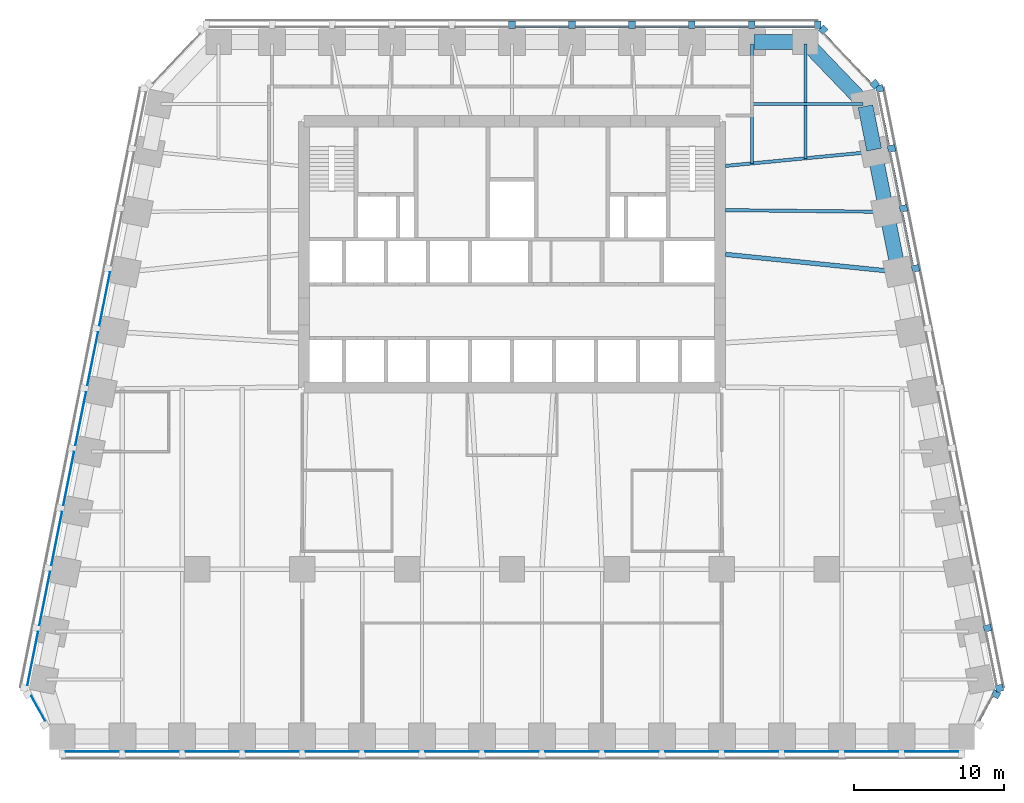
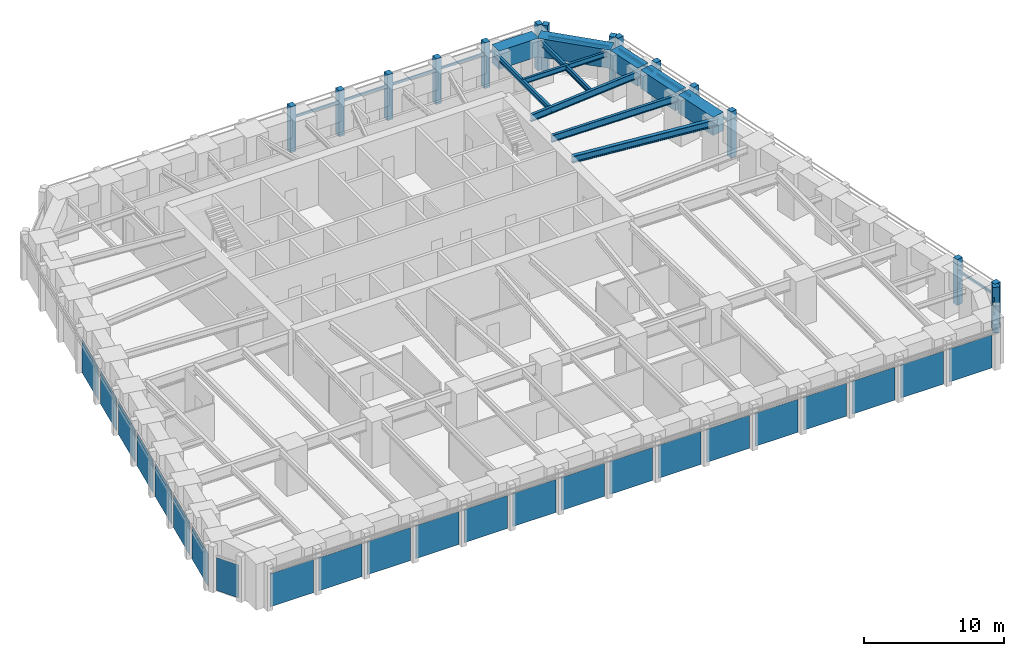
# One storey, part 4 of 9: 26 members, 23 plates, 11 beams, 7 elements without a shape of their own.
"""IFC4 building model written with IfcOpenShell, lengths in metres."""

import ifcopenshell
import ifcopenshell.guid

model = None  # the IFC model being written
_history = None  # IfcOwnerHistory: only IFC2X3 demands one
_inside = {}  # id of a spatial element -> (the spatial element, [elements in it])
_under = {}  # id of a project, library or spatial element -> (it, [spatial elements below it])
_declared = {}  # id of a project -> (the project, [libraries it declares])
_typed = {}  # id of a type object -> (the type object, [elements of that type])
_made_of = {}  # id of a material, layer set ... -> (it, [elements and type objects made of it])


def new_model(schema):
    """Start an empty IFC model of exactly this schema.

    Asked for "IFC4X3", IfcOpenShell would pick the latest addendum, in which some entities
    have other attributes; the version numbers below select the first issue.
    IFC2X3 requires an IfcOwnerHistory on every rooted entity: one is made here for all.
    """
    global model, _history
    if schema == "IFC4X3":
        model = ifcopenshell.file(schema_version=(4, 3, 0, 0))
    else:
        model = ifcopenshell.file(schema=schema)
    _inside.clear()
    _under.clear()
    _declared.clear()
    _typed.clear()
    _made_of.clear()
    _history = None
    if model.schema == "IFC2X3":
        org = make("IfcOrganization", Name="unknown")
        user = make(
            "IfcPersonAndOrganization",
            ThePerson=make("IfcPerson", FamilyName="unknown"),
            TheOrganization=org,
        )
        app = make(
            "IfcApplication",
            ApplicationDeveloper=org,
            Version="unknown",
            ApplicationFullName="unknown",
            ApplicationIdentifier="unknown",
        )
        _history = make(
            "IfcOwnerHistory",
            OwningUser=user,
            OwningApplication=app,
            ChangeAction="ADDED",
            CreationDate=0,
        )
    return model


def make(cls, **values):
    """One entity of the class cls with the attributes given. An attribute that is None is left unset."""
    return model.create_entity(
        cls, **{name: value for name, value in values.items() if value is not None}
    )


def rooted(cls, **values):
    """An entity with a GlobalId (a new one), such as an element, a storey or a relation."""
    return make(cls, GlobalId=ifcopenshell.guid.new(), OwnerHistory=_history, **values)


def si_unit(unit_type, name, prefix=None):
    """IfcSIUnit, for example si_unit("LENGTHUNIT", "METRE", prefix="MILLI")."""
    return make("IfcSIUnit", UnitType=unit_type, Prefix=prefix, Name=name)


def assignment(units):
    """IfcUnitAssignment: the units of a project."""
    return None if units is None else make("IfcUnitAssignment", Units=units)


def point(xyz):
    """IfcCartesianPoint."""
    return None if xyz is None else make("IfcCartesianPoint", Coordinates=xyz)


def direction(xyz):
    """IfcDirection."""
    return None if xyz is None else make("IfcDirection", DirectionRatios=xyz)


def frame(location, z_axis=None, x_axis=None):
    """IfcAxis2Placement3D, a coordinate frame: its origin and axes. An axis left out is left unset."""
    return make(
        "IfcAxis2Placement3D",
        Location=point(location),
        Axis=direction(z_axis),
        RefDirection=direction(x_axis),
    )


def frame_2d(location, x_axis=None):
    """IfcAxis2Placement2D, a coordinate frame in the plane: its origin and x axis."""
    return make(
        "IfcAxis2Placement2D", Location=point(location), RefDirection=direction(x_axis)
    )


def origin():
    """The frame at (0, 0, 0) with its axes left unset."""
    return frame((0.0, 0.0, 0.0))


def origin_2d():
    """The frame at (0, 0) in the plane with its x axis left unset."""
    return frame_2d((0.0, 0.0))


def place(relative_to, where):
    """IfcLocalPlacement: puts the frame where relative to a parent placement (None: the world)."""
    return make(
        "IfcLocalPlacement", PlacementRelTo=relative_to, RelativePlacement=where
    )


def context(
    kind, dimensions, precision=None, world=None, true_north=None, identifier=None
):
    """IfcGeometricRepresentationContext, for example the 3D "Model" context."""
    return make(
        "IfcGeometricRepresentationContext",
        ContextIdentifier=identifier,
        ContextType=kind,
        CoordinateSpaceDimension=dimensions,
        Precision=precision,
        WorldCoordinateSystem=world,
        TrueNorth=true_north,
    )


def subcontext(parent, identifier, kind, view, scale=None):
    """IfcGeometricRepresentationSubContext, for example "Body" below "Model"."""
    return make(
        "IfcGeometricRepresentationSubContext",
        ContextIdentifier=identifier,
        ContextType=kind,
        ParentContext=parent,
        TargetScale=scale,
        TargetView=view,
    )


def project(units=None, contexts=None):
    """IfcProject with its units and contexts."""
    return rooted(
        "IfcProject",
        Name="project",
        RepresentationContexts=contexts,
        UnitsInContext=assignment(units),
    )


def spatial(cls, under=None, at=None, **own):
    """A site, building, storey or space (cls), placed at a placement, below another one or the project."""
    s = rooted(cls, ObjectPlacement=at, **own)
    if under is not None:
        _under.setdefault(under.id(), (under, []))[1].append(s)
    return s


def profile(cls, at=None, kind="AREA", **sizes):
    """A parametric profile (cls). Its sizes go by their IFC names, for example OverallWidth=200.0."""
    return make(cls, ProfileType=kind, Position=at, **sizes)


def rectangle(**sizes):
    """IfcRectangleProfileDef."""
    return profile("IfcRectangleProfileDef", **sizes)


def i_section(**sizes):
    """IfcIShapeProfileDef."""
    return profile("IfcIShapeProfileDef", **sizes)


def extrude(swept, where, along, depth):
    """IfcExtrudedAreaSolid: the profile swept, set in the frame where, extruded along a direction by depth."""
    return make(
        "IfcExtrudedAreaSolid",
        SweptArea=swept,
        Position=where,
        ExtrudedDirection=direction(along),
        Depth=depth,
    )


def shape(context_of_items, identifier, shape_type, items):
    """IfcShapeRepresentation: the items that make up one representation, for example the "Body"."""
    return make(
        "IfcShapeRepresentation",
        ContextOfItems=context_of_items,
        RepresentationIdentifier=identifier,
        RepresentationType=shape_type,
        Items=items,
    )


def material(Name=None, Category=None):
    """IfcMaterial."""
    return make("IfcMaterial", Name=Name, Category=Category)


def layer(
    of_material, thickness, ventilated=None, Name=None, Category=None, Priority=None
):
    """IfcMaterialLayer: one layer of a wall or slab, of a material (None: an air gap)."""
    return make(
        "IfcMaterialLayer",
        Material=of_material,
        LayerThickness=thickness,
        IsVentilated=ventilated,
        Name=Name,
        Category=Category,
        Priority=Priority,
    )


def layer_set(layers, Name=None):
    """IfcMaterialLayerSet."""
    return make("IfcMaterialLayerSet", MaterialLayers=layers, LayerSetName=Name)


def material_profile(
    of_material, cross_section, Name=None, Category=None, Priority=None
):
    """IfcMaterialProfile: a cross section and its material."""
    return make(
        "IfcMaterialProfile",
        Name=Name,
        Material=of_material,
        Profile=cross_section,
        Priority=Priority,
        Category=Category,
    )


def profile_set(profiles, Name=None, composite=None):
    """IfcMaterialProfileSet."""
    return make(
        "IfcMaterialProfileSet",
        Name=Name,
        MaterialProfiles=profiles,
        CompositeProfile=composite,
    )


def made_of(thing, what):
    """Note that an element or type object is made of a material, layer set ...; save() writes the relation."""
    if what is not None:
        _made_of.setdefault(what.id(), (what, []))[1].append(thing)
    return thing


def type_object(cls, material=None, **own):
    """A type object (cls), such as IfcWallType, which elements share."""
    return made_of(rooted(cls, **own), material)


def element(
    cls,
    number,
    at=None,
    inside=None,
    cuts=None,
    type_object=None,
    material=None,
    context=None,
    identifier="Body",
    shape_type=None,
    held_by="IfcProductDefinitionShape",
    body=None,
    shapes=None,
    **own,
):
    """One element of the class cls, such as IfcWall. Its Tag is "e" and its number.

    at: its placement. inside: the storey or other place that contains it. cuts: it is an
    opening in that element (IfcRelVoidsElement). A single representation is given by context,
    identifier, shape_type and body (its items); several are given by shapes. held_by: the class
    of the entity that holds the representations. save() writes the other relations.
    """
    e = rooted(cls, Tag="e%d" % number, ObjectPlacement=at, **own)
    if body is not None:
        shapes = [shape(context, identifier, shape_type, body)]
    if shapes is not None:
        e.Representation = make(held_by, Representations=shapes)
    if inside is not None:
        _inside.setdefault(inside.id(), (inside, []))[1].append(e)
    if cuts is not None:
        rooted(
            "IfcRelVoidsElement", RelatingBuildingElement=cuts, RelatedOpeningElement=e
        )
    if type_object is not None:
        _typed.setdefault(type_object.id(), (type_object, []))[1].append(e)
    return made_of(e, material)


def aggregate(whole, parts):
    """IfcRelAggregates: a whole, such as a stair, and the parts it consists of."""
    return rooted("IfcRelAggregates", RelatingObject=whole, RelatedObjects=parts)


def save(model, path):
    """Write the relations noted so far, then the file.

    IfcRelAggregates (storeys below a building ...), IfcRelContainedInSpatialStructure (elements
    in a storey), IfcRelDefinesByType, IfcRelAssociatesMaterial and IfcRelDeclares: one each for
    every whole, place, type object, material and project.
    """
    for whole, parts in _under.values():
        aggregate(whole, parts)
    for where, things in _inside.values():
        rooted(
            "IfcRelContainedInSpatialStructure",
            RelatedElements=things,
            RelatingStructure=where,
        )
    for kind, things in _typed.values():
        rooted("IfcRelDefinesByType", RelatedObjects=things, RelatingType=kind)
    for what, things in _made_of.values():
        rooted("IfcRelAssociatesMaterial", RelatedObjects=things, RelatingMaterial=what)
    for by, libraries in _declared.values():
        rooted("IfcRelDeclares", RelatingContext=by, RelatedDefinitions=libraries)
    model.write(path)


model = new_model("IFC4")

# Units and contexts
model_context = context("Model", 3, precision=1e-05, world=origin(), true_north=direction((0.0, 1.0)))
body_context = subcontext(model_context, "Body", "Model", "MODEL_VIEW")
ifc_project = project(units=[si_unit("LENGTHUNIT", "METRE"), si_unit("AREAUNIT", "SQUARE_METRE"), si_unit("VOLUMEUNIT", "CUBIC_METRE"), si_unit("PLANEANGLEUNIT", "RADIAN"), si_unit("MASSUNIT", "GRAM", prefix="KILO")], contexts=[model_context])

# Site, building, storey
site_placement = place(None, origin())
site = spatial("IfcSite", under=ifc_project, at=site_placement, CompositionType="ELEMENT")
building_placement = place(site_placement, origin())
building = spatial("IfcBuilding", under=site, at=building_placement, Name="Isbrekke Arena Tower", CompositionType="ELEMENT")
storey_placement = place(building_placement, frame((0.0, 0.0, 131.0)))
storey = spatial("IfcBuildingStorey", under=building, at=storey_placement, Name="L29", CompositionType="ELEMENT", Elevation=131.0)

# Beams
ifc_material_1 = material(Name="Steel S355", Category="steel")
ifc_material_profile_1 = material_profile(ifc_material_1, i_section(OverallWidth=0.219970703125, OverallDepth=0.60009765625, WebThickness=0.011962890625, FlangeThickness=0.01904296875, FilletRadius=0.02392578125, at=origin_2d()), Name="IPE 600")
ifc_profile_set_1 = profile_set([ifc_material_profile_1], Name="Steel S355")
beam_type_1 = type_object("IfcBeamType", Name="B1 IPE 600", PredefinedType="BEAM", material=ifc_profile_set_1)
beam_1_placement = place(storey_placement, frame((24.83984375, 17.838134765625, 3.550048828125), z_axis=(-0.999944260169, 0.010558245831, 0.0), x_axis=(-0.010558245831, -0.999944260169, 0.0)))
element("IfcBeam", 1, at=beam_1_placement, inside=storey, type_object=beam_type_1, Name="B1 beam E-E09 L29", PredefinedType="BEAM", context=body_context, shape_type="SweptSolid", body=[
    extrude(i_section(OverallWidth=0.219970703125, OverallDepth=0.60009765625, WebThickness=0.011962890625, FlangeThickness=0.01904296875, FilletRadius=0.02392578125, at=origin_2d()), origin(), (0.0, 0.0, 1.0), 10.59033203125),
])
beam_2_placement = place(storey_placement, frame((24.030517578125, 21.837158203125, 3.550048828125), z_axis=(-0.995439798606, -0.095391862082, 0.0), x_axis=(0.095391862082, -0.995439798606, 0.0)))
element("IfcBeam", 2, at=beam_2_placement, inside=storey, type_object=beam_type_1, Name="B1 beam E-E10 L29", PredefinedType="BEAM", context=body_context, shape_type="SweptSolid", body=[
    extrude(i_section(OverallWidth=0.219970703125, OverallDepth=0.60009765625, WebThickness=0.011962890625, FlangeThickness=0.01904296875, FilletRadius=0.02392578125, at=origin_2d()), origin(), (0.0, 0.0, 1.0), 9.825439453125),
])
ifc_material_2 = material(Name="Steel S355", Category="steel")
ifc_material_profile_2 = material_profile(ifc_material_2, i_section(OverallWidth=0.18994140625, OverallDepth=0.449951171875, WebThickness=0.009521484375, FlangeThickness=0.0146484375, FilletRadius=0.02099609375, at=origin_2d()), Name="IPE 450")
ifc_profile_set_2 = profile_set([ifc_material_profile_2], Name="Steel S355")
beam_type_2 = type_object("IfcBeamType", Name="B2 IPE 450", PredefinedType="BEAM", material=ifc_profile_set_2)
beam_3_placement = place(storey_placement, frame((23.40283203125, 25.029296875, 3.625), z_axis=(-1.0, 0.0, 0.0), x_axis=(0.0, -1.0, 0.0)))
element("IfcBeam", 3, at=beam_3_placement, inside=storey, type_object=beam_type_2, Name="B2 beam E-E11 L29", PredefinedType="BEAM", context=body_context, shape_type="SweptSolid", body=[
    extrude(i_section(OverallWidth=0.18994140625, OverallDepth=0.449951171875, WebThickness=0.009521484375, FlangeThickness=0.0146484375, FilletRadius=0.02099609375, at=origin_2d()), origin(), (0.0, 0.0, 1.0), 7.40283203125),
])
ifc_material_3 = material(Name="Steel S355", Category="steel")
ifc_material_profile_3 = material_profile(ifc_material_3, i_section(OverallWidth=0.18994140625, OverallDepth=0.449951171875, WebThickness=0.009521484375, FlangeThickness=0.0146484375, FilletRadius=0.02099609375, at=origin_2d()), Name="IPE 450")
ifc_profile_set_3 = profile_set([ifc_material_profile_3], Name="Steel S355")
beam_type_3 = type_object("IfcBeamType", Name="B3 IPE 450", PredefinedType="BEAM", material=ifc_profile_set_3)
beam_4_placement = place(storey_placement, frame((19.574951171875, 29.02490234375, 3.625), z_axis=(0.0, -1.0, 0.0), x_axis=(1.0, 0.0, 0.0)))
element("IfcBeam", 4, at=beam_4_placement, inside=storey, type_object=beam_type_3, Name="B3 beam N-N01 L29", PredefinedType="BEAM", context=body_context, shape_type="SweptSolid", body=[
    extrude(i_section(OverallWidth=0.18994140625, OverallDepth=0.449951171875, WebThickness=0.009521484375, FlangeThickness=0.0146484375, FilletRadius=0.02099609375, at=origin_2d()), origin(), (0.0, 0.0, 1.0), 7.61474609375),
])
beam_5_placement = place(storey_placement, frame((16.0, 29.02490234375, 3.625), z_axis=(0.0, -1.0, 0.0), x_axis=(1.0, 0.0, 0.0)))
element("IfcBeam", 5, at=beam_5_placement, inside=storey, type_object=beam_type_3, Name="B3 beam N-N02 L29", PredefinedType="BEAM", context=body_context, shape_type="SweptSolid", body=[
    extrude(i_section(OverallWidth=0.18994140625, OverallDepth=0.449951171875, WebThickness=0.009521484375, FlangeThickness=0.0146484375, FilletRadius=0.02099609375, at=origin_2d()), origin(), (0.0, 0.0, 1.0), 7.957275390625),
])
ifc_material_4 = material(Name="Steel S355", Category="steel")
ifc_material_profile_4 = material_profile(ifc_material_4, i_section(OverallWidth=0.300048828125, OverallDepth=0.60009765625, WebThickness=0.015380859375, FlangeThickness=0.030029296875, FilletRadius=0.027099609375, at=origin_2d()), Name="HEB 600")
ifc_profile_set_4 = profile_set([ifc_material_profile_4], Name="Steel S355")
beam_type_4 = type_object("IfcBeamType", Name="B7 HEB 600", PredefinedType="BEAM", material=ifc_profile_set_4)
beam_6_placement = place(storey_placement, frame((25.6259765625, 13.83984375, 3.550048828125), z_axis=(-0.994839949319, 0.10145676537, 0.0), x_axis=(-0.10145676537, -0.994839949319, 0.0)))
element("IfcBeam", 6, at=beam_6_placement, inside=storey, type_object=beam_type_4, Name="B7 beam E-E08 L29", PredefinedType="BEAM", context=body_context, shape_type="SweptSolid", body=[
    extrude(i_section(OverallWidth=0.300048828125, OverallDepth=0.60009765625, WebThickness=0.015380859375, FlangeThickness=0.030029296875, FilletRadius=0.027099609375, at=origin_2d()), origin(), (0.0, 0.0, 1.0), 11.43505859375),
])

# Curtain wall, member
ifc_material_5 = material(Name="Glazed aluminium curtain wall", Category="aluminium")
curtain_wall_type = type_object("IfcCurtainWallType", Name="CWM TOWER CURTAIN WALL MID ZONE", PredefinedType="USERDEFINED", material=ifc_material_5)
curtain_wall_1_placement = place(storey_placement, origin())
curtain_wall_1 = element("IfcCurtainWall", 7, at=curtain_wall_1_placement, inside=storey, type_object=curtain_wall_type, Name="CWM curtain wall L29-SE", ObjectType="TOWER CURTAIN WALL MID ZONE", PredefinedType="USERDEFINED")
ifc_material_6 = material(Name="Aluminium mullion, pale brick slip cladding", Category="masonry")
ifc_material_profile_5 = material_profile(ifc_material_6, rectangle(XDim=0.449951171875, YDim=0.5, at=origin_2d()), Name="PIER 450X500")
ifc_profile_set_5 = profile_set([ifc_material_profile_5], Name="Aluminium mullion, pale brick slip cladding")
member_type_1 = type_object("IfcMemberType", Name="CWM-M PIER MULLION 450 x 500", PredefinedType="MULLION", material=ifc_profile_set_5)
member_1_placement = place(storey_placement, frame((32.296142578125, -14.34375, 0.0), z_axis=(0.0, 0.0, 1.0), x_axis=(0.481918749773, 0.876215908676, 0.0)))
member_1 = element("IfcMember", 8, at=member_1_placement, type_object=member_type_1, Name="CWM-M mullion 2", PredefinedType="MULLION", context=body_context, shape_type="SweptSolid", body=[
    extrude(rectangle(XDim=0.449951171875, YDim=0.5, at=origin_2d()), origin(), (0.0, 0.0, 1.0), 4.0),
])

# Curtain wall, members
curtain_wall_2_placement = place(storey_placement, origin())
curtain_wall_2 = element("IfcCurtainWall", 9, at=curtain_wall_2_placement, inside=storey, type_object=curtain_wall_type, Name="CWM curtain wall L29-E", ObjectType="TOWER CURTAIN WALL MID ZONE", PredefinedType="USERDEFINED")
member_2_placement = place(storey_placement, frame((32.518798828125, -13.936279296875, 0.0), z_axis=(0.0, 0.0, 1.0), x_axis=(-0.196116135138, 0.980580675691, 0.0)))
member_2 = element("IfcMember", 10, at=member_2_placement, type_object=member_type_1, Name="CWM-M mullion 1", PredefinedType="MULLION", context=body_context, shape_type="SweptSolid", body=[
    extrude(rectangle(XDim=0.449951171875, YDim=0.5, at=origin_2d()), origin(), (0.0, 0.0, 1.0), 4.0),
])
member_3_placement = place(storey_placement, frame((31.71875, -9.936279296875, 0.0), z_axis=(0.0, 0.0, 1.0), x_axis=(-0.196116135138, 0.980580675691, 0.0)))
member_3 = element("IfcMember", 11, at=member_3_placement, type_object=member_type_1, Name="CWM-M mullion 2", PredefinedType="MULLION", context=body_context, shape_type="SweptSolid", body=[
    extrude(rectangle(XDim=0.449951171875, YDim=0.5, at=origin_2d()), origin(), (0.0, 0.0, 1.0), 4.0),
])
member_4_placement = place(storey_placement, frame((26.918701171875, 14.063720703125, 0.0), z_axis=(0.0, 0.0, 1.0), x_axis=(-0.196116135138, 0.980580675691, 0.0)))
member_4 = element("IfcMember", 12, at=member_4_placement, type_object=member_type_1, Name="CWM-M mullion 8", PredefinedType="MULLION", context=body_context, shape_type="SweptSolid", body=[
    extrude(rectangle(XDim=0.449951171875, YDim=0.5, at=origin_2d()), origin(), (0.0, 0.0, 1.0), 4.0),
])
member_5_placement = place(storey_placement, frame((26.11865234375, 18.063720703125, 0.0), z_axis=(0.0, 0.0, 1.0), x_axis=(-0.196116135138, 0.980580675691, 0.0)))
member_5 = element("IfcMember", 13, at=member_5_placement, type_object=member_type_1, Name="CWM-M mullion 9", PredefinedType="MULLION", context=body_context, shape_type="SweptSolid", body=[
    extrude(rectangle(XDim=0.449951171875, YDim=0.5, at=origin_2d()), origin(), (0.0, 0.0, 1.0), 4.0),
])
member_6_placement = place(storey_placement, frame((25.318603515625, 22.063720703125, 0.0), z_axis=(0.0, 0.0, 1.0), x_axis=(-0.196116135138, 0.980580675691, 0.0)))
member_6 = element("IfcMember", 14, at=member_6_placement, type_object=member_type_1, Name="CWM-M mullion 10", PredefinedType="MULLION", context=body_context, shape_type="SweptSolid", body=[
    extrude(rectangle(XDim=0.449951171875, YDim=0.5, at=origin_2d()), origin(), (0.0, 0.0, 1.0), 4.0),
])
member_7_placement = place(storey_placement, frame((24.518798828125, 26.063720703125, 0.0), z_axis=(0.0, 0.0, 1.0), x_axis=(-0.196116135138, 0.980580675691, 0.0)))
member_7 = element("IfcMember", 15, at=member_7_placement, type_object=member_type_1, Name="CWM-M mullion 11", PredefinedType="MULLION", context=body_context, shape_type="SweptSolid", body=[
    extrude(rectangle(XDim=0.449951171875, YDim=0.5, at=origin_2d()), origin(), (0.0, 0.0, 1.0), 4.0),
])

curtain_wall_3_placement = place(storey_placement, origin())
curtain_wall_3 = element("IfcCurtainWall", 16, at=curtain_wall_3_placement, inside=storey, type_object=curtain_wall_type, Name="CWM curtain wall L29-EN", ObjectType="TOWER CURTAIN WALL MID ZONE", PredefinedType="USERDEFINED")
member_8_placement = place(storey_placement, frame((24.208251953125, 26.354248046875, 0.0), z_axis=(0.0, 0.0, 1.0), x_axis=(-0.68874946192, 0.72499943359, 0.0)))
member_8 = element("IfcMember", 17, at=member_8_placement, type_object=member_type_1, Name="CWM-M mullion 1", PredefinedType="MULLION", context=body_context, shape_type="SweptSolid", body=[
    extrude(rectangle(XDim=0.449951171875, YDim=0.5, at=origin_2d()), origin(), (0.0, 0.0, 1.0), 4.0),
])
member_9_placement = place(storey_placement, frame((20.7587890625, 29.9853515625, 0.0), z_axis=(0.0, 0.0, 1.0), x_axis=(-0.68874946192, 0.72499943359, 0.0)))
member_9 = element("IfcMember", 18, at=member_9_placement, type_object=member_type_1, Name="CWM-M mullion 2", PredefinedType="MULLION", context=body_context, shape_type="SweptSolid", body=[
    extrude(rectangle(XDim=0.449951171875, YDim=0.5, at=origin_2d()), origin(), (0.0, 0.0, 1.0), 4.0),
])

curtain_wall_4_placement = place(storey_placement, origin())
curtain_wall_4 = element("IfcCurtainWall", 19, at=curtain_wall_4_placement, inside=storey, type_object=curtain_wall_type, Name="CWM curtain wall L29-N", ObjectType="TOWER CURTAIN WALL MID ZONE", PredefinedType="USERDEFINED")
member_10_placement = place(storey_placement, frame((20.39990234375, 30.324951171875, 0.0), z_axis=(0.0, 0.0, 1.0), x_axis=(-1.0, 0.0, 0.0)))
member_10 = element("IfcMember", 20, at=member_10_placement, type_object=member_type_1, Name="CWM-M mullion 1", PredefinedType="MULLION", context=body_context, shape_type="SweptSolid", body=[
    extrude(rectangle(XDim=0.449951171875, YDim=0.5, at=origin_2d()), origin(), (0.0, 0.0, 1.0), 4.0),
])
member_11_placement = place(storey_placement, frame((16.0, 30.324951171875, 0.0), z_axis=(0.0, 0.0, 1.0), x_axis=(-1.0, 0.0, 0.0)))
member_11 = element("IfcMember", 21, at=member_11_placement, type_object=member_type_1, Name="CWM-M mullion 2", PredefinedType="MULLION", context=body_context, shape_type="SweptSolid", body=[
    extrude(rectangle(XDim=0.449951171875, YDim=0.5, at=origin_2d()), origin(), (0.0, 0.0, 1.0), 4.0),
])
member_12_placement = place(storey_placement, frame((12.0, 30.324951171875, 0.0), z_axis=(0.0, 0.0, 1.0), x_axis=(-1.0, 0.0, 0.0)))
member_12 = element("IfcMember", 22, at=member_12_placement, type_object=member_type_1, Name="CWM-M mullion 3", PredefinedType="MULLION", context=body_context, shape_type="SweptSolid", body=[
    extrude(rectangle(XDim=0.449951171875, YDim=0.5, at=origin_2d()), origin(), (0.0, 0.0, 1.0), 4.0),
])
member_13_placement = place(storey_placement, frame((8.0, 30.324951171875, 0.0), z_axis=(0.0, 0.0, 1.0), x_axis=(-1.0, 0.0, 0.0)))
member_13 = element("IfcMember", 23, at=member_13_placement, type_object=member_type_1, Name="CWM-M mullion 4", PredefinedType="MULLION", context=body_context, shape_type="SweptSolid", body=[
    extrude(rectangle(XDim=0.449951171875, YDim=0.5, at=origin_2d()), origin(), (0.0, 0.0, 1.0), 4.0),
])
member_14_placement = place(storey_placement, frame((4.0, 30.324951171875, 0.0), z_axis=(0.0, 0.0, 1.0), x_axis=(-1.0, 0.0, 0.0)))
member_14 = element("IfcMember", 24, at=member_14_placement, type_object=member_type_1, Name="CWM-M mullion 5", PredefinedType="MULLION", context=body_context, shape_type="SweptSolid", body=[
    extrude(rectangle(XDim=0.449951171875, YDim=0.5, at=origin_2d()), origin(), (0.0, 0.0, 1.0), 4.0),
])
member_15_placement = place(storey_placement, frame((0.0, 30.324951171875, 0.0), z_axis=(0.0, 0.0, 1.0), x_axis=(-1.0, 0.0, 0.0)))
member_15 = element("IfcMember", 25, at=member_15_placement, type_object=member_type_1, Name="CWM-M mullion 6", PredefinedType="MULLION", context=body_context, shape_type="SweptSolid", body=[
    extrude(rectangle(XDim=0.449951171875, YDim=0.5, at=origin_2d()), origin(), (0.0, 0.0, 1.0), 4.0),
])

# Member
ifc_material_7 = material(Name="Aluminium transom", Category="aluminium")
ifc_material_profile_6 = material_profile(ifc_material_7, rectangle(XDim=0.1201171875, YDim=0.199951171875, at=origin_2d()), Name="TRANSOM 120X200")
ifc_profile_set_6 = profile_set([ifc_material_profile_6], Name="Aluminium transom")
member_type_2 = type_object("IfcMemberType", Name="CWM-T TRANSOM 120 x 200", PredefinedType="USERDEFINED", material=ifc_profile_set_6)
member_16_placement = place(storey_placement, frame((31.152099609375, -16.112548828125, 3.0), z_axis=(0.482003669577, 0.876169197424, 0.0), x_axis=(-0.876169197424, 0.482003669577, 0.0)))
member_16 = element("IfcMember", 26, at=member_16_placement, type_object=member_type_2, Name="CWM-T transom 1", ObjectType="TRANSOM", PredefinedType="USERDEFINED", context=body_context, shape_type="SweptSolid", body=[
    extrude(rectangle(XDim=0.1201171875, YDim=0.199951171875, at=origin_2d()), origin(), (0.0, 0.0, 1.0), 1.876220703125),
])

aggregate(curtain_wall_1, [member_1, member_16])

member_17_placement = place(storey_placement, frame((32.327392578125, -13.7451171875, 3.0), z_axis=(-0.196090262229, 0.980585849918, 0.0), x_axis=(-0.980585849918, -0.196090262229, 0.0)))
member_17 = element("IfcMember", 27, at=member_17_placement, type_object=member_type_2, Name="CWM-T transom 1", ObjectType="TRANSOM", PredefinedType="USERDEFINED", context=body_context, shape_type="SweptSolid", body=[
    extrude(rectangle(XDim=0.1201171875, YDim=0.199951171875, at=origin_2d()), origin(), (0.0, 0.0, 1.0), 3.62939453125),
])

member_18_placement = place(storey_placement, frame((26.7275390625, 14.2548828125, 3.0), z_axis=(-0.196154943734, 0.980572913173, 0.0), x_axis=(-0.980572913173, -0.196154943734, 0.0)))
member_18 = element("IfcMember", 28, at=member_18_placement, type_object=member_type_2, Name="CWM-T transom 8", ObjectType="TRANSOM", PredefinedType="USERDEFINED", context=body_context, shape_type="SweptSolid", body=[
    extrude(rectangle(XDim=0.1201171875, YDim=0.199951171875, at=origin_2d()), origin(), (0.0, 0.0, 1.0), 3.62939453125),
])

member_19_placement = place(storey_placement, frame((25.927490234375, 18.2548828125, 3.0), z_axis=(-0.196090262229, 0.980585849918, 0.0), x_axis=(-0.980585849918, -0.196090262229, 0.0)))
member_19 = element("IfcMember", 29, at=member_19_placement, type_object=member_type_2, Name="CWM-T transom 9", ObjectType="TRANSOM", PredefinedType="USERDEFINED", context=body_context, shape_type="SweptSolid", body=[
    extrude(rectangle(XDim=0.1201171875, YDim=0.199951171875, at=origin_2d()), origin(), (0.0, 0.0, 1.0), 3.62939453125),
])

member_20_placement = place(storey_placement, frame((25.12744140625, 22.2548828125, 3.0), z_axis=(-0.196090262229, 0.980585849918, 0.0), x_axis=(-0.980585849918, -0.196090262229, 0.0)))
member_20 = element("IfcMember", 30, at=member_20_placement, type_object=member_type_2, Name="CWM-T transom 10", ObjectType="TRANSOM", PredefinedType="USERDEFINED", context=body_context, shape_type="SweptSolid", body=[
    extrude(rectangle(XDim=0.1201171875, YDim=0.199951171875, at=origin_2d()), origin(), (0.0, 0.0, 1.0), 3.62939453125),
])

aggregate(curtain_wall_2, [member_2, member_3, member_4, member_5, member_6, member_7, member_17, member_18, member_19, member_20])

member_21_placement = place(storey_placement, frame((23.944580078125, 26.4140625, 3.0), z_axis=(-0.688771983213, 0.724978037696, 0.0), x_axis=(-0.724978037696, -0.688771983213, 0.0)))
member_21 = element("IfcMember", 31, at=member_21_placement, type_object=member_type_2, Name="CWM-T transom 1", ObjectType="TRANSOM", PredefinedType="USERDEFINED", context=body_context, shape_type="SweptSolid", body=[
    extrude(rectangle(XDim=0.1201171875, YDim=0.199951171875, at=origin_2d()), origin(), (0.0, 0.0, 1.0), 4.558349609375),
])

aggregate(curtain_wall_3, [member_8, member_9, member_21])

member_22_placement = place(storey_placement, frame((20.175048828125, 30.175048828125, 3.0), z_axis=(-1.0, 0.0, 0.0), x_axis=(0.0, -1.0, 0.0)))
member_22 = element("IfcMember", 32, at=member_22_placement, type_object=member_type_2, Name="CWM-T transom 1", ObjectType="TRANSOM", PredefinedType="USERDEFINED", context=body_context, shape_type="SweptSolid", body=[
    extrude(rectangle(XDim=0.1201171875, YDim=0.199951171875, at=origin_2d()), origin(), (0.0, 0.0, 1.0), 3.949951171875),
])

member_23_placement = place(storey_placement, frame((15.77490234375, 30.175048828125, 3.0), z_axis=(-1.0, 0.0, 0.0), x_axis=(0.0, -1.0, 0.0)))
member_23 = element("IfcMember", 33, at=member_23_placement, type_object=member_type_2, Name="CWM-T transom 2", ObjectType="TRANSOM", PredefinedType="USERDEFINED", context=body_context, shape_type="SweptSolid", body=[
    extrude(rectangle(XDim=0.1201171875, YDim=0.199951171875, at=origin_2d()), origin(), (0.0, 0.0, 1.0), 3.5498046875),
])

member_24_placement = place(storey_placement, frame((11.77490234375, 30.175048828125, 3.0), z_axis=(-1.0, 0.0, 0.0), x_axis=(0.0, -1.0, 0.0)))
member_24 = element("IfcMember", 34, at=member_24_placement, type_object=member_type_2, Name="CWM-T transom 3", ObjectType="TRANSOM", PredefinedType="USERDEFINED", context=body_context, shape_type="SweptSolid", body=[
    extrude(rectangle(XDim=0.1201171875, YDim=0.199951171875, at=origin_2d()), origin(), (0.0, 0.0, 1.0), 3.5498046875),
])

member_25_placement = place(storey_placement, frame((7.77490234375, 30.175048828125, 3.0), z_axis=(-1.0, 0.0, 0.0), x_axis=(0.0, -1.0, 0.0)))
member_25 = element("IfcMember", 35, at=member_25_placement, type_object=member_type_2, Name="CWM-T transom 4", ObjectType="TRANSOM", PredefinedType="USERDEFINED", context=body_context, shape_type="SweptSolid", body=[
    extrude(rectangle(XDim=0.1201171875, YDim=0.199951171875, at=origin_2d()), origin(), (0.0, 0.0, 1.0), 3.5498046875),
])

member_26_placement = place(storey_placement, frame((3.77490234375, 30.175048828125, 3.0), z_axis=(-1.0, 0.0, 0.0), x_axis=(0.0, -1.0, 0.0)))
member_26 = element("IfcMember", 36, at=member_26_placement, type_object=member_type_2, Name="CWM-T transom 5", ObjectType="TRANSOM", PredefinedType="USERDEFINED", context=body_context, shape_type="SweptSolid", body=[
    extrude(rectangle(XDim=0.1201171875, YDim=0.199951171875, at=origin_2d()), origin(), (0.0, 0.0, 1.0), 3.5498046875),
])

aggregate(curtain_wall_4, [member_10, member_11, member_12, member_13, member_14, member_15, member_22, member_23, member_24, member_25, member_26])

# Beams
ifc_material_8 = material(Name="Concrete B80 (C80/95)", Category="concrete")
ifc_material_profile_7 = material_profile(ifc_material_8, rectangle(XDim=1.0, YDim=1.60009765625, at=origin_2d()), Name="RC 1000x1600")
ifc_profile_set_7 = profile_set([ifc_material_profile_7], Name="Concrete B80 (C80/95)")
beam_type_5 = type_object("IfcBeamType", Name="SB2 RC 1000 x 1600", PredefinedType="SPANDREL", material=ifc_profile_set_7)
for number, where, z_axis, x_axis, name in (
    (37, (25.76171875, 13.9853515625, 3.199951171875), (-0.196128558387, 0.980578190959, 0.0), (-0.980578190959, -0.196128558387, 0.0), "SB2 spandrel E08-E09 L29"),
    (38, (24.961669921875, 17.9853515625, 3.199951171875), (-0.196128558387, 0.980578190959, 0.0), (-0.980578190959, -0.196128558387, 0.0), "SB2 spandrel E09-E10 L29"),
):
    element("IfcBeam", number, at=place(storey_placement, frame(where, z_axis=z_axis, x_axis=x_axis)), inside=storey, type_object=beam_type_5, Name=name, PredefinedType="SPANDREL", context=body_context, shape_type="SweptSolid", body=[
        extrude(rectangle(XDim=1.0, YDim=1.60009765625, at=origin_2d()), origin(), (0.0, 0.0, 1.0), 3.779296875),
    ])
beam_7_placement = place(storey_placement, frame((24.16162109375, 21.9853515625, 3.199951171875), z_axis=(-0.196116135138, 0.980580675691, 0.0), x_axis=(-0.980580675691, -0.196116135138, 0.0)))
element("IfcBeam", 39, at=beam_7_placement, inside=storey, type_object=beam_type_5, Name="SB2 spandrel E10-E11 L29", PredefinedType="SPANDREL", context=body_context, shape_type="SweptSolid", body=[
    extrude(rectangle(XDim=1.0, YDim=1.60009765625, at=origin_2d()), origin(), (0.0, 0.0, 1.0), 2.9541015625),
])
beam_8_placement = place(storey_placement, frame((23.448974609375, 25.137451171875, 3.199951171875), z_axis=(-0.692339547635, 0.721571861134, 0.0), x_axis=(-0.721571861134, -0.692339547635, 0.0)))
element("IfcBeam", 40, at=beam_8_placement, inside=storey, type_object=beam_type_5, Name="SB2 spandrel E11-N01 L29", PredefinedType="SPANDREL", context=body_context, shape_type="SweptSolid", body=[
    extrude(rectangle(XDim=1.0, YDim=1.60009765625, at=origin_2d()), origin(), (0.0, 0.0, 1.0), 5.4453125),
])
beam_9_placement = place(storey_placement, frame((19.425048828125, 29.175048828125, 3.199951171875), z_axis=(-1.0, 0.0, 0.0), x_axis=(0.0, -1.0, 0.0)))
element("IfcBeam", 41, at=beam_9_placement, inside=storey, type_object=beam_type_5, Name="SB2 spandrel N01-N02 L29", PredefinedType="SPANDREL", context=body_context, shape_type="SweptSolid", body=[
    extrude(rectangle(XDim=1.0, YDim=1.60009765625, at=origin_2d()), origin(), (0.0, 0.0, 1.0), 3.275146484375),
])

# Curtain wall, plates
curtain_wall_5_placement = place(storey_placement, origin())
curtain_wall_5 = element("IfcCurtainWall", 42, at=curtain_wall_5_placement, inside=storey, type_object=curtain_wall_type, Name="CWM curtain wall L29-S", ObjectType="TOWER CURTAIN WALL MID ZONE", PredefinedType="USERDEFINED")
ifc_material_9 = material(Name="Triple-glazed clear glass unit", Category="glass")
ifc_layer = layer(ifc_material_9, 0.031982421875)
ifc_layer_set = layer_set([ifc_layer], Name="CWM-P VISION PANEL")
plate_type = type_object("IfcPlateType", Name="CWM-P VISION PANEL", PredefinedType="CURTAIN_PANEL", material=ifc_layer_set)
plate_1_placement = place(storey_placement, frame((-28.0, -18.175048828125, 0.02001953125), z_axis=(0.0, 0.0, 1.0), x_axis=(1.0, 0.0, 0.0)))
plate_1 = element("IfcPlate", 43, at=plate_1_placement, type_object=plate_type, Name="CWM-P panel 1", PredefinedType="CURTAIN_PANEL", context=body_context, shape_type="SweptSolid", body=[
    extrude(rectangle(XDim=3.550048828125, YDim=0.031982421875, at=origin_2d()), origin(), (0.0, 0.0, 1.0), 2.8798828125),
])
plate_2_placement = place(storey_placement, frame((-24.0, -18.175048828125, 0.02001953125), z_axis=(0.0, 0.0, 1.0), x_axis=(1.0, 0.0, 0.0)))
plate_2 = element("IfcPlate", 44, at=plate_2_placement, type_object=plate_type, Name="CWM-P panel 2", PredefinedType="CURTAIN_PANEL", context=body_context, shape_type="SweptSolid", body=[
    extrude(rectangle(XDim=3.550048828125, YDim=0.031982421875, at=origin_2d()), origin(), (0.0, 0.0, 1.0), 2.8798828125),
])
plate_3_placement = place(storey_placement, frame((-20.0, -18.175048828125, 0.02001953125), z_axis=(0.0, 0.0, 1.0), x_axis=(1.0, 0.0, 0.0)))
plate_3 = element("IfcPlate", 45, at=plate_3_placement, type_object=plate_type, Name="CWM-P panel 3", PredefinedType="CURTAIN_PANEL", context=body_context, shape_type="SweptSolid", body=[
    extrude(rectangle(XDim=3.550048828125, YDim=0.031982421875, at=origin_2d()), origin(), (0.0, 0.0, 1.0), 2.8798828125),
])
plate_4_placement = place(storey_placement, frame((-16.0, -18.175048828125, 0.02001953125), z_axis=(0.0, 0.0, 1.0), x_axis=(1.0, 0.0, 0.0)))
plate_4 = element("IfcPlate", 46, at=plate_4_placement, type_object=plate_type, Name="CWM-P panel 4", PredefinedType="CURTAIN_PANEL", context=body_context, shape_type="SweptSolid", body=[
    extrude(rectangle(XDim=3.550048828125, YDim=0.031982421875, at=origin_2d()), origin(), (0.0, 0.0, 1.0), 2.8798828125),
])
plate_5_placement = place(storey_placement, frame((-12.0, -18.175048828125, 0.02001953125), z_axis=(0.0, 0.0, 1.0), x_axis=(1.0, 0.0, 0.0)))
plate_5 = element("IfcPlate", 47, at=plate_5_placement, type_object=plate_type, Name="CWM-P panel 5", PredefinedType="CURTAIN_PANEL", context=body_context, shape_type="SweptSolid", body=[
    extrude(rectangle(XDim=3.550048828125, YDim=0.031982421875, at=origin_2d()), origin(), (0.0, 0.0, 1.0), 2.8798828125),
])
plate_6_placement = place(storey_placement, frame((-8.0, -18.175048828125, 0.02001953125), z_axis=(0.0, 0.0, 1.0), x_axis=(1.0, 0.0, 0.0)))
plate_6 = element("IfcPlate", 48, at=plate_6_placement, type_object=plate_type, Name="CWM-P panel 6", PredefinedType="CURTAIN_PANEL", context=body_context, shape_type="SweptSolid", body=[
    extrude(rectangle(XDim=3.550048828125, YDim=0.031982421875, at=origin_2d()), origin(), (0.0, 0.0, 1.0), 2.8798828125),
])
plate_7_placement = place(storey_placement, frame((-4.0, -18.175048828125, 0.02001953125), z_axis=(0.0, 0.0, 1.0), x_axis=(1.0, 0.0, 0.0)))
plate_7 = element("IfcPlate", 49, at=plate_7_placement, type_object=plate_type, Name="CWM-P panel 7", PredefinedType="CURTAIN_PANEL", context=body_context, shape_type="SweptSolid", body=[
    extrude(rectangle(XDim=3.550048828125, YDim=0.031982421875, at=origin_2d()), origin(), (0.0, 0.0, 1.0), 2.8798828125),
])
plate_8_placement = place(storey_placement, frame((0.0, -18.175048828125, 0.02001953125), z_axis=(0.0, 0.0, 1.0), x_axis=(1.0, 0.0, 0.0)))
plate_8 = element("IfcPlate", 50, at=plate_8_placement, type_object=plate_type, Name="CWM-P panel 8", PredefinedType="CURTAIN_PANEL", context=body_context, shape_type="SweptSolid", body=[
    extrude(rectangle(XDim=3.550048828125, YDim=0.031982421875, at=origin_2d()), origin(), (0.0, 0.0, 1.0), 2.8798828125),
])
plate_9_placement = place(storey_placement, frame((4.0, -18.175048828125, 0.02001953125), z_axis=(0.0, 0.0, 1.0), x_axis=(1.0, 0.0, 0.0)))
plate_9 = element("IfcPlate", 51, at=plate_9_placement, type_object=plate_type, Name="CWM-P panel 9", PredefinedType="CURTAIN_PANEL", context=body_context, shape_type="SweptSolid", body=[
    extrude(rectangle(XDim=3.550048828125, YDim=0.031982421875, at=origin_2d()), origin(), (0.0, 0.0, 1.0), 2.8798828125),
])
plate_10_placement = place(storey_placement, frame((8.0, -18.175048828125, 0.02001953125), z_axis=(0.0, 0.0, 1.0), x_axis=(1.0, 0.0, 0.0)))
plate_10 = element("IfcPlate", 52, at=plate_10_placement, type_object=plate_type, Name="CWM-P panel 10", PredefinedType="CURTAIN_PANEL", context=body_context, shape_type="SweptSolid", body=[
    extrude(rectangle(XDim=3.550048828125, YDim=0.031982421875, at=origin_2d()), origin(), (0.0, 0.0, 1.0), 2.8798828125),
])
plate_11_placement = place(storey_placement, frame((12.0, -18.175048828125, 0.02001953125), z_axis=(0.0, 0.0, 1.0), x_axis=(1.0, 0.0, 0.0)))
plate_11 = element("IfcPlate", 53, at=plate_11_placement, type_object=plate_type, Name="CWM-P panel 11", PredefinedType="CURTAIN_PANEL", context=body_context, shape_type="SweptSolid", body=[
    extrude(rectangle(XDim=3.550048828125, YDim=0.031982421875, at=origin_2d()), origin(), (0.0, 0.0, 1.0), 2.8798828125),
])
plate_12_placement = place(storey_placement, frame((16.0, -18.175048828125, 0.02001953125), z_axis=(0.0, 0.0, 1.0), x_axis=(1.0, 0.0, 0.0)))
plate_12 = element("IfcPlate", 54, at=plate_12_placement, type_object=plate_type, Name="CWM-P panel 12", PredefinedType="CURTAIN_PANEL", context=body_context, shape_type="SweptSolid", body=[
    extrude(rectangle(XDim=3.550048828125, YDim=0.031982421875, at=origin_2d()), origin(), (0.0, 0.0, 1.0), 2.8798828125),
])
plate_13_placement = place(storey_placement, frame((20.0, -18.175048828125, 0.02001953125), z_axis=(0.0, 0.0, 1.0), x_axis=(1.0, 0.0, 0.0)))
plate_13 = element("IfcPlate", 55, at=plate_13_placement, type_object=plate_type, Name="CWM-P panel 13", PredefinedType="CURTAIN_PANEL", context=body_context, shape_type="SweptSolid", body=[
    extrude(rectangle(XDim=3.550048828125, YDim=0.031982421875, at=origin_2d()), origin(), (0.0, 0.0, 1.0), 2.8798828125),
])
plate_14_placement = place(storey_placement, frame((24.0, -18.175048828125, 0.02001953125), z_axis=(0.0, 0.0, 1.0), x_axis=(1.0, 0.0, 0.0)))
plate_14 = element("IfcPlate", 56, at=plate_14_placement, type_object=plate_type, Name="CWM-P panel 14", PredefinedType="CURTAIN_PANEL", context=body_context, shape_type="SweptSolid", body=[
    extrude(rectangle(XDim=3.550048828125, YDim=0.031982421875, at=origin_2d()), origin(), (0.0, 0.0, 1.0), 2.8798828125),
])
plate_15_placement = place(storey_placement, frame((28.0, -18.175048828125, 0.02001953125), z_axis=(0.0, 0.0, 1.0), x_axis=(1.0, 0.0, 0.0)))
plate_15 = element("IfcPlate", 57, at=plate_15_placement, type_object=plate_type, Name="CWM-P panel 15", PredefinedType="CURTAIN_PANEL", context=body_context, shape_type="SweptSolid", body=[
    extrude(rectangle(XDim=3.550048828125, YDim=0.031982421875, at=origin_2d()), origin(), (0.0, 0.0, 1.0), 2.8798828125),
])
aggregate(curtain_wall_5, [plate_1, plate_2, plate_3, plate_4, plate_5, plate_6, plate_7, plate_8, plate_9, plate_10, plate_11, plate_12, plate_13, plate_14, plate_15])

curtain_wall_6_placement = place(storey_placement, origin())
curtain_wall_6 = element("IfcCurtainWall", 58, at=curtain_wall_6_placement, inside=storey, type_object=curtain_wall_type, Name="CWM curtain wall L29-W", ObjectType="TOWER CURTAIN WALL MID ZONE", PredefinedType="USERDEFINED")
plate_16_placement = place(storey_placement, frame((-27.171630859375, 12.034423828125, 0.02001953125), z_axis=(0.0, 0.0, 1.0), x_axis=(-0.196116135138, -0.980580675691, 0.0)))
plate_16 = element("IfcPlate", 59, at=plate_16_placement, type_object=plate_type, Name="CWM-P panel 4", PredefinedType="CURTAIN_PANEL", context=body_context, shape_type="SweptSolid", body=[
    extrude(rectangle(XDim=3.629150390625, YDim=0.031982421875, at=origin_2d()), origin(), (0.0, 0.0, 1.0), 2.8798828125),
])
plate_17_placement = place(storey_placement, frame((-27.9716796875, 8.034423828125, 0.02001953125), z_axis=(0.0, 0.0, 1.0), x_axis=(-0.196116135138, -0.980580675691, 0.0)))
plate_17 = element("IfcPlate", 60, at=plate_17_placement, type_object=plate_type, Name="CWM-P panel 5", PredefinedType="CURTAIN_PANEL", context=body_context, shape_type="SweptSolid", body=[
    extrude(rectangle(XDim=3.629150390625, YDim=0.031982421875, at=origin_2d()), origin(), (0.0, 0.0, 1.0), 2.8798828125),
])
plate_18_placement = place(storey_placement, frame((-28.771484375, 4.034423828125, 0.02001953125), z_axis=(0.0, 0.0, 1.0), x_axis=(-0.196116135138, -0.980580675691, 0.0)))
plate_18 = element("IfcPlate", 61, at=plate_18_placement, type_object=plate_type, Name="CWM-P panel 6", PredefinedType="CURTAIN_PANEL", context=body_context, shape_type="SweptSolid", body=[
    extrude(rectangle(XDim=3.629150390625, YDim=0.031982421875, at=origin_2d()), origin(), (0.0, 0.0, 1.0), 2.8798828125),
])
plate_19_placement = place(storey_placement, frame((-29.571533203125, 0.034423828125, 0.02001953125), z_axis=(0.0, 0.0, 1.0), x_axis=(-0.196116135138, -0.980580675691, 0.0)))
plate_19 = element("IfcPlate", 62, at=plate_19_placement, type_object=plate_type, Name="CWM-P panel 7", PredefinedType="CURTAIN_PANEL", context=body_context, shape_type="SweptSolid", body=[
    extrude(rectangle(XDim=3.629150390625, YDim=0.031982421875, at=origin_2d()), origin(), (0.0, 0.0, 1.0), 2.8798828125),
])
plate_20_placement = place(storey_placement, frame((-30.37158203125, -3.965576171875, 0.02001953125), z_axis=(0.0, 0.0, 1.0), x_axis=(-0.196116135138, -0.980580675691, 0.0)))
plate_20 = element("IfcPlate", 63, at=plate_20_placement, type_object=plate_type, Name="CWM-P panel 8", PredefinedType="CURTAIN_PANEL", context=body_context, shape_type="SweptSolid", body=[
    extrude(rectangle(XDim=3.629150390625, YDim=0.031982421875, at=origin_2d()), origin(), (0.0, 0.0, 1.0), 2.8798828125),
])
plate_21_placement = place(storey_placement, frame((-31.171630859375, -7.965576171875, 0.02001953125), z_axis=(0.0, 0.0, 1.0), x_axis=(-0.196116135138, -0.980580675691, 0.0)))
plate_21 = element("IfcPlate", 64, at=plate_21_placement, type_object=plate_type, Name="CWM-P panel 9", PredefinedType="CURTAIN_PANEL", context=body_context, shape_type="SweptSolid", body=[
    extrude(rectangle(XDim=3.629150390625, YDim=0.031982421875, at=origin_2d()), origin(), (0.0, 0.0, 1.0), 2.8798828125),
])
plate_22_placement = place(storey_placement, frame((-31.9716796875, -11.965576171875, 0.02001953125), z_axis=(0.0, 0.0, 1.0), x_axis=(-0.196116135138, -0.980580675691, 0.0)))
plate_22 = element("IfcPlate", 65, at=plate_22_placement, type_object=plate_type, Name="CWM-P panel 10", PredefinedType="CURTAIN_PANEL", context=body_context, shape_type="SweptSolid", body=[
    extrude(rectangle(XDim=3.629150390625, YDim=0.031982421875, at=origin_2d()), origin(), (0.0, 0.0, 1.0), 2.8798828125),
])
aggregate(curtain_wall_6, [plate_16, plate_17, plate_18, plate_19, plate_20, plate_21, plate_22])

# Curtain wall, plate
curtain_wall_7_placement = place(storey_placement, origin())
curtain_wall_7 = element("IfcCurtainWall", 66, at=curtain_wall_7_placement, inside=storey, type_object=curtain_wall_type, Name="CWM curtain wall L29-WS", ObjectType="TOWER CURTAIN WALL MID ZONE", PredefinedType="USERDEFINED")
plate_23_placement = place(storey_placement, frame((-31.60400390625, -15.291015625, 0.02001953125), z_axis=(0.0, 0.0, 1.0), x_axis=(0.481918749773, -0.876215908676, 0.0)))
plate_23 = element("IfcPlate", 67, at=plate_23_placement, type_object=plate_type, Name="CWM-P panel 1", PredefinedType="CURTAIN_PANEL", context=body_context, shape_type="SweptSolid", body=[
    extrude(rectangle(XDim=1.878173828125, YDim=0.031982421875, at=origin_2d()), origin(), (0.0, 0.0, 1.0), 2.8798828125),
])
aggregate(curtain_wall_7, [plate_23])

save(model, "model.ifc")
